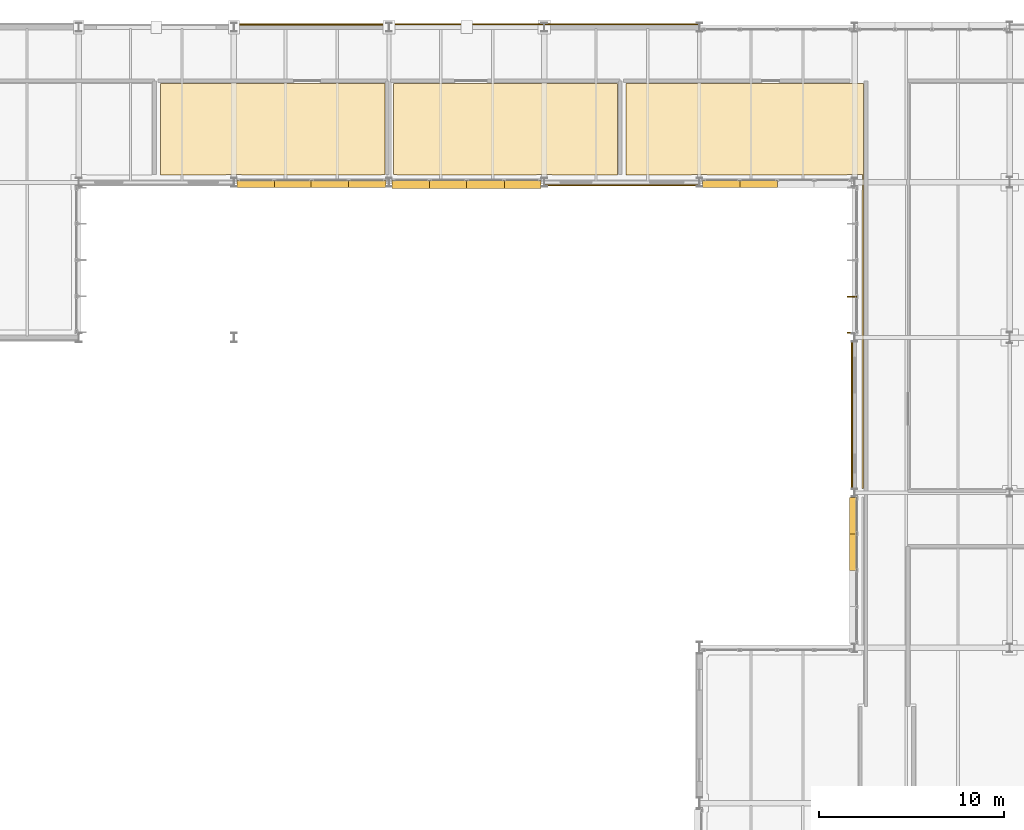
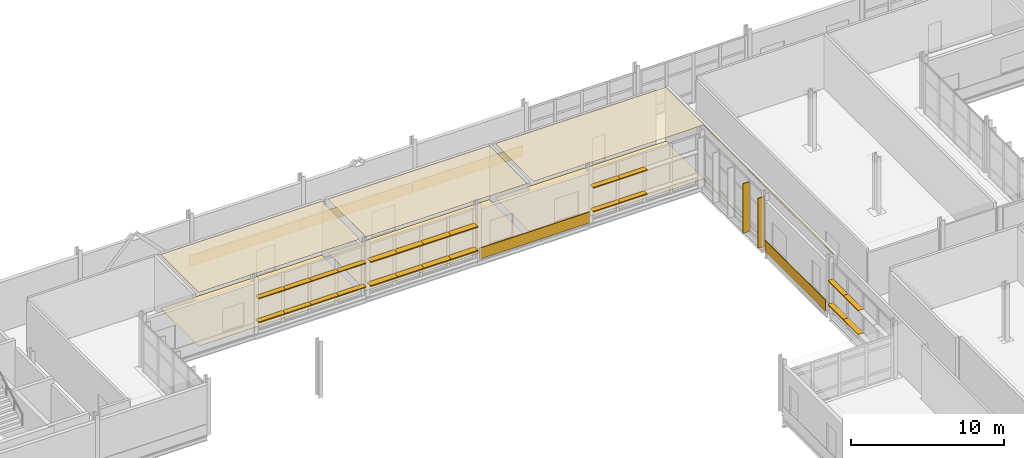
# One storey, part 120 of 129: 26 shading devices, 11 coverings.
"""IFC4 building model written with IfcOpenShell, lengths in metres."""

import ifcopenshell
import ifcopenshell.guid

model = None  # the IFC model being written
_history = None  # IfcOwnerHistory: only IFC2X3 demands one
_inside = {}  # id of a spatial element -> (the spatial element, [elements in it])
_under = {}  # id of a project, library or spatial element -> (it, [spatial elements below it])
_declared = {}  # id of a project -> (the project, [libraries it declares])
_typed = {}  # id of a type object -> (the type object, [elements of that type])
_made_of = {}  # id of a material, layer set ... -> (it, [elements and type objects made of it])


def new_model(schema):
    """Start an empty IFC model of exactly this schema.

    Asked for "IFC4X3", IfcOpenShell would pick the latest addendum, in which some entities
    have other attributes; the version numbers below select the first issue.
    IFC2X3 requires an IfcOwnerHistory on every rooted entity: one is made here for all.
    """
    global model, _history
    if schema == "IFC4X3":
        model = ifcopenshell.file(schema_version=(4, 3, 0, 0))
    else:
        model = ifcopenshell.file(schema=schema)
    _inside.clear()
    _under.clear()
    _declared.clear()
    _typed.clear()
    _made_of.clear()
    _history = None
    if model.schema == "IFC2X3":
        org = make("IfcOrganization", Name="unknown")
        user = make(
            "IfcPersonAndOrganization",
            ThePerson=make("IfcPerson", FamilyName="unknown"),
            TheOrganization=org,
        )
        app = make(
            "IfcApplication",
            ApplicationDeveloper=org,
            Version="unknown",
            ApplicationFullName="unknown",
            ApplicationIdentifier="unknown",
        )
        _history = make(
            "IfcOwnerHistory",
            OwningUser=user,
            OwningApplication=app,
            ChangeAction="ADDED",
            CreationDate=0,
        )
    return model


def make(cls, **values):
    """One entity of the class cls with the attributes given. An attribute that is None is left unset."""
    return model.create_entity(
        cls, **{name: value for name, value in values.items() if value is not None}
    )


def rooted(cls, **values):
    """An entity with a GlobalId (a new one), such as an element, a storey or a relation."""
    return make(cls, GlobalId=ifcopenshell.guid.new(), OwnerHistory=_history, **values)


def si_unit(unit_type, name, prefix=None):
    """IfcSIUnit, for example si_unit("LENGTHUNIT", "METRE", prefix="MILLI")."""
    return make("IfcSIUnit", UnitType=unit_type, Prefix=prefix, Name=name)


def assignment(units):
    """IfcUnitAssignment: the units of a project."""
    return None if units is None else make("IfcUnitAssignment", Units=units)


def point(xyz):
    """IfcCartesianPoint."""
    return None if xyz is None else make("IfcCartesianPoint", Coordinates=xyz)


def direction(xyz):
    """IfcDirection."""
    return None if xyz is None else make("IfcDirection", DirectionRatios=xyz)


def frame(location, z_axis=None, x_axis=None):
    """IfcAxis2Placement3D, a coordinate frame: its origin and axes. An axis left out is left unset."""
    return make(
        "IfcAxis2Placement3D",
        Location=point(location),
        Axis=direction(z_axis),
        RefDirection=direction(x_axis),
    )


def frame_2d(location, x_axis=None):
    """IfcAxis2Placement2D, a coordinate frame in the plane: its origin and x axis."""
    return make(
        "IfcAxis2Placement2D", Location=point(location), RefDirection=direction(x_axis)
    )


def origin():
    """The frame at (0, 0, 0) with its axes left unset."""
    return frame((0.0, 0.0, 0.0))


def origin_2d():
    """The frame at (0, 0) in the plane with its x axis left unset."""
    return frame_2d((0.0, 0.0))


def place(relative_to, where):
    """IfcLocalPlacement: puts the frame where relative to a parent placement (None: the world)."""
    return make(
        "IfcLocalPlacement", PlacementRelTo=relative_to, RelativePlacement=where
    )


def context(
    kind, dimensions, precision=None, world=None, true_north=None, identifier=None
):
    """IfcGeometricRepresentationContext, for example the 3D "Model" context."""
    return make(
        "IfcGeometricRepresentationContext",
        ContextIdentifier=identifier,
        ContextType=kind,
        CoordinateSpaceDimension=dimensions,
        Precision=precision,
        WorldCoordinateSystem=world,
        TrueNorth=true_north,
    )


def subcontext(parent, identifier, kind, view, scale=None):
    """IfcGeometricRepresentationSubContext, for example "Body" below "Model"."""
    return make(
        "IfcGeometricRepresentationSubContext",
        ContextIdentifier=identifier,
        ContextType=kind,
        ParentContext=parent,
        TargetScale=scale,
        TargetView=view,
    )


def project(units=None, contexts=None):
    """IfcProject with its units and contexts."""
    return rooted(
        "IfcProject",
        Name="project",
        RepresentationContexts=contexts,
        UnitsInContext=assignment(units),
    )


def spatial(cls, under=None, at=None, **own):
    """A site, building, storey or space (cls), placed at a placement, below another one or the project."""
    s = rooted(cls, ObjectPlacement=at, **own)
    if under is not None:
        _under.setdefault(under.id(), (under, []))[1].append(s)
    return s


def polyline(points):
    """IfcPolyline through the points."""
    return make("IfcPolyline", Points=[point(p) for p in points])


def profile(cls, at=None, kind="AREA", **sizes):
    """A parametric profile (cls). Its sizes go by their IFC names, for example OverallWidth=200.0."""
    return make(cls, ProfileType=kind, Position=at, **sizes)


def rectangle(**sizes):
    """IfcRectangleProfileDef."""
    return profile("IfcRectangleProfileDef", **sizes)


def outline(outer, holes=None, kind="AREA"):
    """IfcArbitraryClosedProfileDef: a profile drawn as a closed curve; with holes, ...WithVoids."""
    if holes is None:
        return make("IfcArbitraryClosedProfileDef", ProfileType=kind, OuterCurve=outer)
    return make(
        "IfcArbitraryProfileDefWithVoids",
        ProfileType=kind,
        OuterCurve=outer,
        InnerCurves=holes,
    )


def extrude(swept, where, along, depth):
    """IfcExtrudedAreaSolid: the profile swept, set in the frame where, extruded along a direction by depth."""
    return make(
        "IfcExtrudedAreaSolid",
        SweptArea=swept,
        Position=where,
        ExtrudedDirection=direction(along),
        Depth=depth,
    )


def shape(context_of_items, identifier, shape_type, items):
    """IfcShapeRepresentation: the items that make up one representation, for example the "Body"."""
    return make(
        "IfcShapeRepresentation",
        ContextOfItems=context_of_items,
        RepresentationIdentifier=identifier,
        RepresentationType=shape_type,
        Items=items,
    )


def material(Name=None, Category=None):
    """IfcMaterial."""
    return make("IfcMaterial", Name=Name, Category=Category)


def layer(
    of_material, thickness, ventilated=None, Name=None, Category=None, Priority=None
):
    """IfcMaterialLayer: one layer of a wall or slab, of a material (None: an air gap)."""
    return make(
        "IfcMaterialLayer",
        Material=of_material,
        LayerThickness=thickness,
        IsVentilated=ventilated,
        Name=Name,
        Category=Category,
        Priority=Priority,
    )


def layer_set(layers, Name=None):
    """IfcMaterialLayerSet."""
    return make("IfcMaterialLayerSet", MaterialLayers=layers, LayerSetName=Name)


def made_of(thing, what):
    """Note that an element or type object is made of a material, layer set ...; save() writes the relation."""
    if what is not None:
        _made_of.setdefault(what.id(), (what, []))[1].append(thing)
    return thing


def type_object(cls, material=None, **own):
    """A type object (cls), such as IfcWallType, which elements share."""
    return made_of(rooted(cls, **own), material)


def element(
    cls,
    number,
    at=None,
    inside=None,
    cuts=None,
    type_object=None,
    material=None,
    context=None,
    identifier="Body",
    shape_type=None,
    held_by="IfcProductDefinitionShape",
    body=None,
    shapes=None,
    **own,
):
    """One element of the class cls, such as IfcWall. Its Tag is "e" and its number.

    at: its placement. inside: the storey or other place that contains it. cuts: it is an
    opening in that element (IfcRelVoidsElement). A single representation is given by context,
    identifier, shape_type and body (its items); several are given by shapes. held_by: the class
    of the entity that holds the representations. save() writes the other relations.
    """
    e = rooted(cls, Tag="e%d" % number, ObjectPlacement=at, **own)
    if body is not None:
        shapes = [shape(context, identifier, shape_type, body)]
    if shapes is not None:
        e.Representation = make(held_by, Representations=shapes)
    if inside is not None:
        _inside.setdefault(inside.id(), (inside, []))[1].append(e)
    if cuts is not None:
        rooted(
            "IfcRelVoidsElement", RelatingBuildingElement=cuts, RelatedOpeningElement=e
        )
    if type_object is not None:
        _typed.setdefault(type_object.id(), (type_object, []))[1].append(e)
    return made_of(e, material)


def aggregate(whole, parts):
    """IfcRelAggregates: a whole, such as a stair, and the parts it consists of."""
    return rooted("IfcRelAggregates", RelatingObject=whole, RelatedObjects=parts)


def save(model, path):
    """Write the relations noted so far, then the file.

    IfcRelAggregates (storeys below a building ...), IfcRelContainedInSpatialStructure (elements
    in a storey), IfcRelDefinesByType, IfcRelAssociatesMaterial and IfcRelDeclares: one each for
    every whole, place, type object, material and project.
    """
    for whole, parts in _under.values():
        aggregate(whole, parts)
    for where, things in _inside.values():
        rooted(
            "IfcRelContainedInSpatialStructure",
            RelatedElements=things,
            RelatingStructure=where,
        )
    for kind, things in _typed.values():
        rooted("IfcRelDefinesByType", RelatedObjects=things, RelatingType=kind)
    for what, things in _made_of.values():
        rooted("IfcRelAssociatesMaterial", RelatedObjects=things, RelatingMaterial=what)
    for by, libraries in _declared.values():
        rooted("IfcRelDeclares", RelatingContext=by, RelatedDefinitions=libraries)
    model.write(path)


model = new_model("IFC4")

# Units and contexts
model_context = context("Model", 3, precision=1e-05, world=origin(), true_north=direction((0.0, 1.0)))
body_context = subcontext(model_context, "Body", "Model", "MODEL_VIEW")
ifc_project = project(units=[si_unit("LENGTHUNIT", "METRE"), si_unit("AREAUNIT", "SQUARE_METRE"), si_unit("VOLUMEUNIT", "CUBIC_METRE"), si_unit("PLANEANGLEUNIT", "RADIAN"), si_unit("MASSUNIT", "GRAM", prefix="KILO")], contexts=[model_context])

# Site, building, storey
site_placement = place(None, origin())
site = spatial("IfcSite", under=ifc_project, at=site_placement, CompositionType="ELEMENT")
building_placement = place(site_placement, origin())
building = spatial("IfcBuilding", under=site, at=building_placement, Name="Mersafa Astral City Hall", CompositionType="ELEMENT")
storey_placement = place(building_placement, frame((0.0, 0.0, 5.39990234375)))
storey = spatial("IfcBuildingStorey", under=building, at=storey_placement, Name="L01", CompositionType="ELEMENT", Elevation=5.39990234375)

# Coverings
ifc_material_1 = material(Name="Cairo Mokattam buff limestone cladding", Category="masonry")
ifc_layer_1 = layer(ifc_material_1, 0.06005859375, Name="Cairo Mokattam buff limestone cladding")
ifc_layer_set_1 = layer_set([ifc_layer_1], Name="Cairo Mokattam buff limestone cladding — ENV-COV-LIMESTONE-60")
covering_type_1 = type_object("IfcCoveringType", Name="ENV-COV-LIMESTONE-60", PredefinedType="CLADDING", material=ifc_layer_set_1)
for number, where, z_axis, x_axis, name in (
    (1, (88.199951171875, 126.162109375, 0.0), (0.0, 0.0, 1.0), (-1.0, 0.0, 0.0), "L01 Cairo buff limestone rainscreen cladding 104"),
    (2, (79.800048828125, 126.154541015625, 0.0), (0.0, 0.0, 1.0), (-1.0, 0.0, 0.0), "L01 Cairo buff limestone rainscreen cladding 105"),
    (3, (71.39990234375, 126.14697265625, 0.0), (0.0, 0.0, 1.0), (-1.0, 0.0, 0.0), "L01 Cairo buff limestone rainscreen cladding 106"),
    (4, (88.199951171875, 117.452880859375, 0.0), (0.0, 0.0, 1.0), (1.0, 0.0, 0.0), "L01 Cairo buff limestone rainscreen cladding 124"),
):
    element("IfcCovering", number, at=place(storey_placement, frame(where, z_axis=z_axis, x_axis=x_axis)), inside=storey, type_object=covering_type_1, Name=name, PredefinedType="CLADDING", context=body_context, shape_type="SweptSolid", body=[
        extrude(rectangle(XDim=8.323974609375, YDim=0.06005859375, at=origin_2d()), origin(), (0.0, 0.0, 1.0), 0.860107421875),
    ])
covering_1_placement = place(storey_placement, frame((100.660400390625, 105.0, 0.0), z_axis=(0.0, 0.0, 1.0), x_axis=(0.0, -1.0, 0.0)))
element("IfcCovering", 5, at=covering_1_placement, inside=storey, type_object=covering_type_1, Name="L01 Cairo buff limestone rainscreen cladding 125", PredefinedType="CLADDING", context=body_context, shape_type="SweptSolid", body=[
    extrude(rectangle(XDim=7.89794921875, YDim=0.06005859375, at=origin_2d()), origin(), (0.0, 0.0, 1.0), 0.860107421875),
])

# Shading devices
ifc_material_2 = material(Name="Anodised bronze aluminium solar fin", Category="aluminium")
shading_device_type_1 = type_object("IfcShadingDeviceType", Name="ENV-SHD-FIN-500B", PredefinedType="USERDEFINED", material=ifc_material_2)
for number, where, z_axis, x_axis, name in (
    (6, (100.655029296875, 111.412353515625, -0.014892578125), (0.0, 0.0, 1.0), (0.0, -1.0, 0.0), "L01 Vertical bronze solar fin 583"),
    (7, (100.655029296875, 109.467041015625, -0.014892578125), (0.0, 0.0, 1.0), (0.0, -1.0, 0.0), "L01 Vertical bronze solar fin 584"),
):
    element("IfcShadingDevice", number, at=place(storey_placement, frame(where, z_axis=z_axis, x_axis=x_axis)), inside=storey, type_object=shading_device_type_1, Name=name, ObjectType="FIN", PredefinedType="USERDEFINED", context=body_context, shape_type="SweptSolid", body=[
        extrude(rectangle(XDim=0.06005859375, YDim=0.5, at=origin_2d()), origin(), (0.0, 0.0, 1.0), 3.9619140625),
    ])
ifc_material_3 = material(Name="Kiln-dried cedar timber brise-soleil blade", Category="wood")
shading_device_type_2 = type_object("IfcShadingDeviceType", Name="ENV-SHD-LOUVRE-380", PredefinedType="JALOUSIE", material=ifc_material_3)
shading_device_1_placement = place(storey_placement, frame((68.386474609375, 117.52001953125, 0.81494140625), z_axis=(0.0, 0.0, 1.0), x_axis=(1.0, 0.0, 0.0)))
element("IfcShadingDevice", 8, at=shading_device_1_placement, inside=storey, type_object=shading_device_type_2, Name="L01 Horizontal cedar brise-soleil louvre 556", PredefinedType="JALOUSIE", context=body_context, shape_type="SweptSolid", body=[
    extrude(rectangle(XDim=2.029052734375, YDim=0.3798828125, at=origin_2d()), origin(), (0.0, 0.0, 1.0), 0.070068359375),
])
for number, where, z_axis, x_axis, name in (
    (9, (70.390380859375, 117.52001953125, 0.81494140625), (0.0, 0.0, 1.0), (1.0, 0.0, 0.0), "L01 Horizontal cedar brise-soleil louvre 557"),
    (10, (72.409423828125, 117.52001953125, 0.81494140625), (0.0, 0.0, 1.0), (1.0, 0.0, 0.0), "L01 Horizontal cedar brise-soleil louvre 558"),
):
    element("IfcShadingDevice", number, at=place(storey_placement, frame(where, z_axis=z_axis, x_axis=x_axis)), inside=storey, type_object=shading_device_type_2, Name=name, PredefinedType="JALOUSIE", context=body_context, shape_type="SweptSolid", body=[
        extrude(rectangle(XDim=2.05908203125, YDim=0.3798828125, at=origin_2d()), origin(), (0.0, 0.0, 1.0), 0.070068359375),
    ])
for number, where, z_axis, x_axis, name in (
    (11, (74.41357421875, 117.52001953125, 0.81494140625), (0.0, 0.0, 1.0), (1.0, 0.0, 0.0), "L01 Horizontal cedar brise-soleil louvre 559"),
    (12, (68.386474609375, 117.52001953125, 2.71484375), (0.0, 0.0, 1.0), (1.0, 0.0, 0.0), "L01 Horizontal cedar brise-soleil louvre 560"),
):
    element("IfcShadingDevice", number, at=place(storey_placement, frame(where, z_axis=z_axis, x_axis=x_axis)), inside=storey, type_object=shading_device_type_2, Name=name, PredefinedType="JALOUSIE", context=body_context, shape_type="SweptSolid", body=[
        extrude(rectangle(XDim=2.029052734375, YDim=0.3798828125, at=origin_2d()), origin(), (0.0, 0.0, 1.0), 0.070068359375),
    ])
for number, where, z_axis, x_axis, name in (
    (13, (70.390380859375, 117.52001953125, 2.71484375), (0.0, 0.0, 1.0), (1.0, 0.0, 0.0), "L01 Horizontal cedar brise-soleil louvre 561"),
    (14, (72.409423828125, 117.52001953125, 2.71484375), (0.0, 0.0, 1.0), (1.0, 0.0, 0.0), "L01 Horizontal cedar brise-soleil louvre 562"),
):
    element("IfcShadingDevice", number, at=place(storey_placement, frame(where, z_axis=z_axis, x_axis=x_axis)), inside=storey, type_object=shading_device_type_2, Name=name, PredefinedType="JALOUSIE", context=body_context, shape_type="SweptSolid", body=[
        extrude(rectangle(XDim=2.05908203125, YDim=0.3798828125, at=origin_2d()), origin(), (0.0, 0.0, 1.0), 0.070068359375),
    ])
for number, where, z_axis, x_axis, name in (
    (15, (74.41357421875, 117.52001953125, 2.71484375), (0.0, 0.0, 1.0), (1.0, 0.0, 0.0), "L01 Horizontal cedar brise-soleil louvre 563"),
    (16, (93.58642578125, 117.52001953125, 0.81494140625), (0.0, 0.0, 1.0), (1.0, 0.0, 0.0), "L01 Horizontal cedar brise-soleil louvre 572"),
):
    element("IfcShadingDevice", number, at=place(storey_placement, frame(where, z_axis=z_axis, x_axis=x_axis)), inside=storey, type_object=shading_device_type_2, Name=name, PredefinedType="JALOUSIE", context=body_context, shape_type="SweptSolid", body=[
        extrude(rectangle(XDim=2.029052734375, YDim=0.3798828125, at=origin_2d()), origin(), (0.0, 0.0, 1.0), 0.070068359375),
    ])
shading_device_2_placement = place(storey_placement, frame((95.590576171875, 117.52001953125, 0.81494140625), z_axis=(0.0, 0.0, 1.0), x_axis=(1.0, 0.0, 0.0)))
element("IfcShadingDevice", 17, at=shading_device_2_placement, inside=storey, type_object=shading_device_type_2, Name="L01 Horizontal cedar brise-soleil louvre 573", PredefinedType="JALOUSIE", context=body_context, shape_type="SweptSolid", body=[
    extrude(rectangle(XDim=2.05908203125, YDim=0.3798828125, at=origin_2d()), origin(), (0.0, 0.0, 1.0), 0.070068359375),
])
shading_device_3_placement = place(storey_placement, frame((93.58642578125, 117.52001953125, 2.71484375), z_axis=(0.0, 0.0, 1.0), x_axis=(1.0, 0.0, 0.0)))
element("IfcShadingDevice", 18, at=shading_device_3_placement, inside=storey, type_object=shading_device_type_2, Name="L01 Horizontal cedar brise-soleil louvre 576", PredefinedType="JALOUSIE", context=body_context, shape_type="SweptSolid", body=[
    extrude(rectangle(XDim=2.029052734375, YDim=0.3798828125, at=origin_2d()), origin(), (0.0, 0.0, 1.0), 0.070068359375),
])
shading_device_4_placement = place(storey_placement, frame((95.590576171875, 117.52001953125, 2.71484375), z_axis=(0.0, 0.0, 1.0), x_axis=(1.0, 0.0, 0.0)))
element("IfcShadingDevice", 19, at=shading_device_4_placement, inside=storey, type_object=shading_device_type_2, Name="L01 Horizontal cedar brise-soleil louvre 577", PredefinedType="JALOUSIE", context=body_context, shape_type="SweptSolid", body=[
    extrude(rectangle(XDim=2.05908203125, YDim=0.3798828125, at=origin_2d()), origin(), (0.0, 0.0, 1.0), 0.070068359375),
])
shading_device_5_placement = place(storey_placement, frame((100.719970703125, 99.55712890625, 0.81494140625), z_axis=(0.0, 0.0, 1.0), x_axis=(0.0, -1.0, 0.0)))
element("IfcShadingDevice", 20, at=shading_device_5_placement, inside=storey, type_object=shading_device_type_2, Name="L01 Horizontal cedar brise-soleil louvre 585", PredefinedType="JALOUSIE", context=body_context, shape_type="SweptSolid", body=[
    extrude(rectangle(XDim=1.991455078125, YDim=0.3798828125, at=origin_2d()), origin(), (0.0, 0.0, 1.0), 0.070068359375),
])
shading_device_6_placement = place(storey_placement, frame((100.719970703125, 97.5908203125, 0.81494140625), z_axis=(0.0, 0.0, 1.0), x_axis=(0.0, -1.0, 0.0)))
element("IfcShadingDevice", 21, at=shading_device_6_placement, inside=storey, type_object=shading_device_type_2, Name="L01 Horizontal cedar brise-soleil louvre 586", PredefinedType="JALOUSIE", context=body_context, shape_type="SweptSolid", body=[
    extrude(rectangle(XDim=2.021484375, YDim=0.3798828125, at=origin_2d()), origin(), (0.0, 0.0, 1.0), 0.070068359375),
])
shading_device_7_placement = place(storey_placement, frame((100.719970703125, 99.55712890625, 2.71484375), z_axis=(0.0, 0.0, 1.0), x_axis=(0.0, -1.0, 0.0)))
element("IfcShadingDevice", 22, at=shading_device_7_placement, inside=storey, type_object=shading_device_type_2, Name="L01 Horizontal cedar brise-soleil louvre 589", PredefinedType="JALOUSIE", context=body_context, shape_type="SweptSolid", body=[
    extrude(rectangle(XDim=1.991455078125, YDim=0.3798828125, at=origin_2d()), origin(), (0.0, 0.0, 1.0), 0.070068359375),
])
shading_device_8_placement = place(storey_placement, frame((100.719970703125, 97.5908203125, 2.71484375), z_axis=(0.0, 0.0, 1.0), x_axis=(0.0, -1.0, 0.0)))
element("IfcShadingDevice", 23, at=shading_device_8_placement, inside=storey, type_object=shading_device_type_2, Name="L01 Horizontal cedar brise-soleil louvre 590", PredefinedType="JALOUSIE", context=body_context, shape_type="SweptSolid", body=[
    extrude(rectangle(XDim=2.021484375, YDim=0.3798828125, at=origin_2d()), origin(), (0.0, 0.0, 1.0), 0.070068359375),
])
shading_device_type_3 = type_object("IfcShadingDeviceType", Name="ENV-SHD-LOUVRE-450", PredefinedType="JALOUSIE", material=ifc_material_3)
shading_device_9_placement = place(storey_placement, frame((76.78662109375, 117.485107421875, 0.81005859375), z_axis=(0.0, 0.0, 1.0), x_axis=(1.0, 0.0, 0.0)))
element("IfcShadingDevice", 24, at=shading_device_9_placement, inside=storey, type_object=shading_device_type_3, Name="L01 Horizontal cedar brise-soleil louvre 564", PredefinedType="JALOUSIE", context=body_context, shape_type="SweptSolid", body=[
    extrude(rectangle(XDim=2.029052734375, YDim=0.449951171875, at=origin_2d()), origin(), (0.0, 0.0, 1.0), 0.080078125),
])
for number, where, z_axis, x_axis, name in (
    (25, (78.79052734375, 117.485107421875, 0.81005859375), (0.0, 0.0, 1.0), (1.0, 0.0, 0.0), "L01 Horizontal cedar brise-soleil louvre 565"),
    (26, (80.8095703125, 117.485107421875, 0.81005859375), (0.0, 0.0, 1.0), (1.0, 0.0, 0.0), "L01 Horizontal cedar brise-soleil louvre 566"),
):
    element("IfcShadingDevice", number, at=place(storey_placement, frame(where, z_axis=z_axis, x_axis=x_axis)), inside=storey, type_object=shading_device_type_3, Name=name, PredefinedType="JALOUSIE", context=body_context, shape_type="SweptSolid", body=[
        extrude(rectangle(XDim=2.05908203125, YDim=0.449951171875, at=origin_2d()), origin(), (0.0, 0.0, 1.0), 0.080078125),
    ])
for number, where, z_axis, x_axis, name in (
    (27, (82.8134765625, 117.485107421875, 0.81005859375), (0.0, 0.0, 1.0), (1.0, 0.0, 0.0), "L01 Horizontal cedar brise-soleil louvre 567"),
    (28, (76.78662109375, 117.485107421875, 2.7099609375), (0.0, 0.0, 1.0), (1.0, 0.0, 0.0), "L01 Horizontal cedar brise-soleil louvre 568"),
):
    element("IfcShadingDevice", number, at=place(storey_placement, frame(where, z_axis=z_axis, x_axis=x_axis)), inside=storey, type_object=shading_device_type_3, Name=name, PredefinedType="JALOUSIE", context=body_context, shape_type="SweptSolid", body=[
        extrude(rectangle(XDim=2.029052734375, YDim=0.449951171875, at=origin_2d()), origin(), (0.0, 0.0, 1.0), 0.080078125),
    ])
for number, where, z_axis, x_axis, name in (
    (29, (78.79052734375, 117.485107421875, 2.7099609375), (0.0, 0.0, 1.0), (1.0, 0.0, 0.0), "L01 Horizontal cedar brise-soleil louvre 569"),
    (30, (80.8095703125, 117.485107421875, 2.7099609375), (0.0, 0.0, 1.0), (1.0, 0.0, 0.0), "L01 Horizontal cedar brise-soleil louvre 570"),
):
    element("IfcShadingDevice", number, at=place(storey_placement, frame(where, z_axis=z_axis, x_axis=x_axis)), inside=storey, type_object=shading_device_type_3, Name=name, PredefinedType="JALOUSIE", context=body_context, shape_type="SweptSolid", body=[
        extrude(rectangle(XDim=2.05908203125, YDim=0.449951171875, at=origin_2d()), origin(), (0.0, 0.0, 1.0), 0.080078125),
    ])
shading_device_10_placement = place(storey_placement, frame((82.8134765625, 117.485107421875, 2.7099609375), z_axis=(0.0, 0.0, 1.0), x_axis=(1.0, 0.0, 0.0)))
element("IfcShadingDevice", 31, at=shading_device_10_placement, inside=storey, type_object=shading_device_type_3, Name="L01 Horizontal cedar brise-soleil louvre 571", PredefinedType="JALOUSIE", context=body_context, shape_type="SweptSolid", body=[
    extrude(rectangle(XDim=2.029052734375, YDim=0.449951171875, at=origin_2d()), origin(), (0.0, 0.0, 1.0), 0.080078125),
])

# Coverings
ifc_material_4 = material(Name="Perforated acoustic gypsum board ceiling", Category="gypsum")
ifc_layer_2 = layer(ifc_material_4, 0.02490234375, Name="Perforated acoustic gypsum board ceiling")
ifc_layer_set_2 = layer_set([ifc_layer_2], Name="Perforated acoustic gypsum board ceiling — INT-COV-CEIL-25")
covering_type_2 = type_object("IfcCoveringType", Name="INT-COV-CEIL-25", PredefinedType="CEILING", material=ifc_layer_set_2)
covering_2_placement = place(storey_placement, frame((0.0, 0.0, 4.281005859375)))
element("IfcCovering", 32, at=covering_2_placement, inside=storey, type_object=covering_type_2, Name="L01 Public Petitions Hearing Room L01-18 acoustic ceiling", PredefinedType="CEILING", context=body_context, shape_type="SweptSolid", body=[
    extrude(outline(polyline([(75.3701171875, 122.9599609375), (75.3701171875, 118.02001953125), (75.179931640625, 118.02001953125), (75.179931640625, 118.0), (67.6201171875, 118.0), (67.6201171875, 118.02001953125), (66.780029296875, 118.02001953125), (66.780029296875, 118.0), (63.22998046875, 118.0), (63.22998046875, 122.9599609375), (75.3701171875, 122.9599609375)])), origin(), (0.0, 0.0, 1.0), 0.025146484375),
])
covering_3_placement = place(storey_placement, frame((0.0, 0.0, 4.281005859375)))
element("IfcCovering", 33, at=covering_3_placement, inside=storey, type_object=covering_type_2, Name="L01 Citizens Service Centre L01-20 acoustic ceiling", PredefinedType="CEILING", context=body_context, shape_type="SweptSolid", body=[
    extrude(outline(polyline([(87.969970703125, 122.9599609375), (87.969970703125, 118.0), (84.419921875, 118.0), (84.419921875, 118.02001953125), (83.580078125, 118.02001953125), (83.580078125, 118.0), (76.02001953125, 118.0), (76.02001953125, 118.02001953125), (75.830078125, 118.02001953125), (75.830078125, 122.9599609375), (87.969970703125, 122.9599609375)])), origin(), (0.0, 0.0, 1.0), 0.025146484375),
])
covering_4_placement = place(storey_placement, frame((0.0, 0.0, 4.281005859375)))
element("IfcCovering", 34, at=covering_4_placement, inside=storey, type_object=covering_type_2, Name="L01 Standing Committee Room L01-21 acoustic ceiling", PredefinedType="CEILING", context=body_context, shape_type="SweptSolid", body=[
    extrude(outline(polyline([(101.280029296875, 122.9599609375), (101.280029296875, 101.030029296875), (101.199951171875, 101.030029296875), (101.199951171875, 117.179931640625), (101.219970703125, 117.179931640625), (101.219970703125, 118.02001953125), (100.3798828125, 118.02001953125), (100.3798828125, 118.0), (92.820068359375, 118.0), (92.820068359375, 118.02001953125), (91.97998046875, 118.02001953125), (91.97998046875, 118.0), (88.429931640625, 118.0), (88.429931640625, 122.9599609375), (101.280029296875, 122.9599609375)])), origin(), (0.0, 0.0, 1.0), 0.025146484375),
])
ifc_material_5 = material(Name="Honed Cairo limestone terrazzo flooring", Category="masonry")
ifc_layer_3 = layer(ifc_material_5, 0.02001953125, Name="Honed Cairo limestone terrazzo flooring")
ifc_layer_set_3 = layer_set([ifc_layer_3], Name="Honed Cairo limestone terrazzo flooring — INT-COV-FLR-20")
covering_type_3 = type_object("IfcCoveringType", Name="INT-COV-FLR-20", PredefinedType="FLOORING", material=ifc_layer_set_3)
covering_5_placement = place(storey_placement, frame((0.0, 0.0, -0.00146484375)))
element("IfcCovering", 35, at=covering_5_placement, inside=storey, type_object=covering_type_3, Name="L01 Public Petitions Hearing Room L01-18 architectural flooring", PredefinedType="FLOORING", context=body_context, shape_type="SweptSolid", body=[
    extrude(outline(polyline([(75.3701171875, 122.9599609375), (75.3701171875, 118.02001953125), (75.179931640625, 118.02001953125), (75.179931640625, 118.0), (67.6201171875, 118.0), (67.6201171875, 118.02001953125), (66.780029296875, 118.02001953125), (66.780029296875, 118.0), (63.22998046875, 118.0), (63.22998046875, 122.9599609375), (75.3701171875, 122.9599609375)])), origin(), (0.0, 0.0, 1.0), 0.02001953125),
])
covering_6_placement = place(storey_placement, frame((0.0, 0.0, -0.00146484375)))
element("IfcCovering", 36, at=covering_6_placement, inside=storey, type_object=covering_type_3, Name="L01 Citizens Service Centre L01-20 architectural flooring", PredefinedType="FLOORING", context=body_context, shape_type="SweptSolid", body=[
    extrude(outline(polyline([(87.969970703125, 122.9599609375), (87.969970703125, 118.0), (84.419921875, 118.0), (84.419921875, 118.02001953125), (83.580078125, 118.02001953125), (83.580078125, 118.0), (76.02001953125, 118.0), (76.02001953125, 118.02001953125), (75.830078125, 118.02001953125), (75.830078125, 122.9599609375), (87.969970703125, 122.9599609375)])), origin(), (0.0, 0.0, 1.0), 0.02001953125),
])
covering_7_placement = place(storey_placement, frame((0.0, 0.0, -0.00146484375)))
element("IfcCovering", 37, at=covering_7_placement, inside=storey, type_object=covering_type_3, Name="L01 Standing Committee Room L01-21 architectural flooring", PredefinedType="FLOORING", context=body_context, shape_type="SweptSolid", body=[
    extrude(outline(polyline([(101.280029296875, 122.9599609375), (101.280029296875, 101.030029296875), (101.199951171875, 101.030029296875), (101.199951171875, 117.179931640625), (101.219970703125, 117.179931640625), (101.219970703125, 118.02001953125), (100.3798828125, 118.02001953125), (100.3798828125, 118.0), (92.820068359375, 118.0), (92.820068359375, 118.02001953125), (91.97998046875, 118.02001953125), (91.97998046875, 118.0), (88.429931640625, 118.0), (88.429931640625, 122.9599609375), (101.280029296875, 122.9599609375)])), origin(), (0.0, 0.0, 1.0), 0.02001953125),
])

save(model, "model.ifc")
